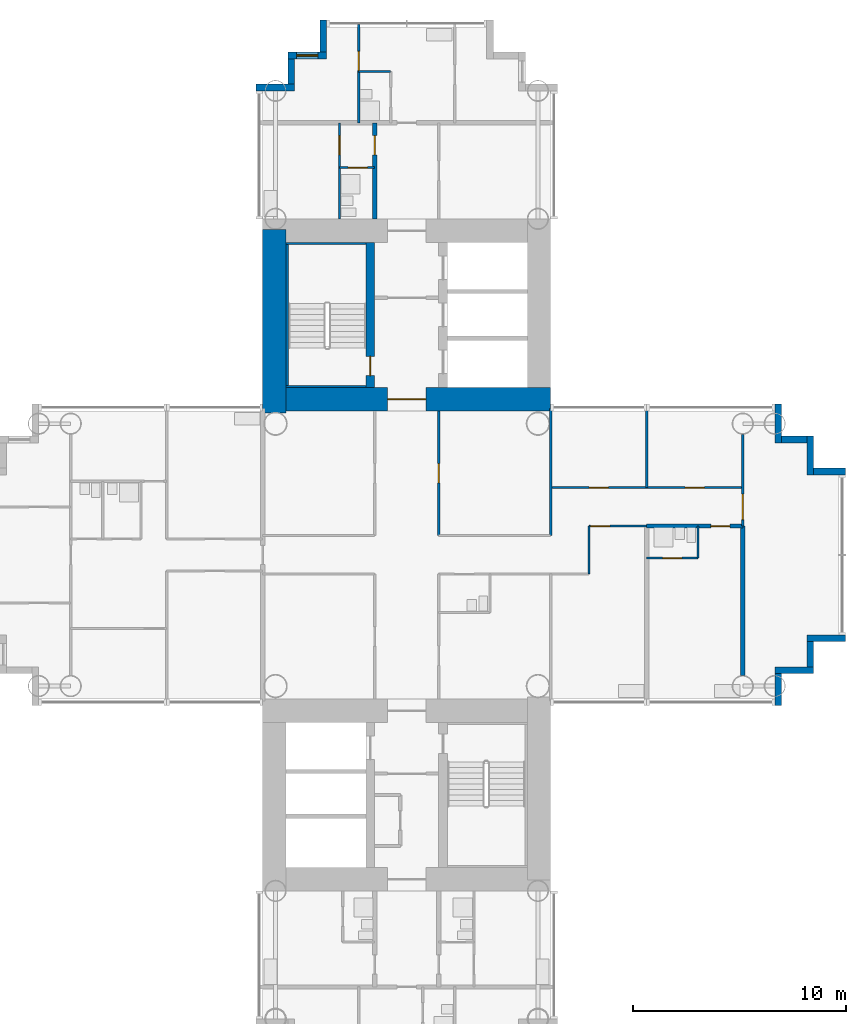
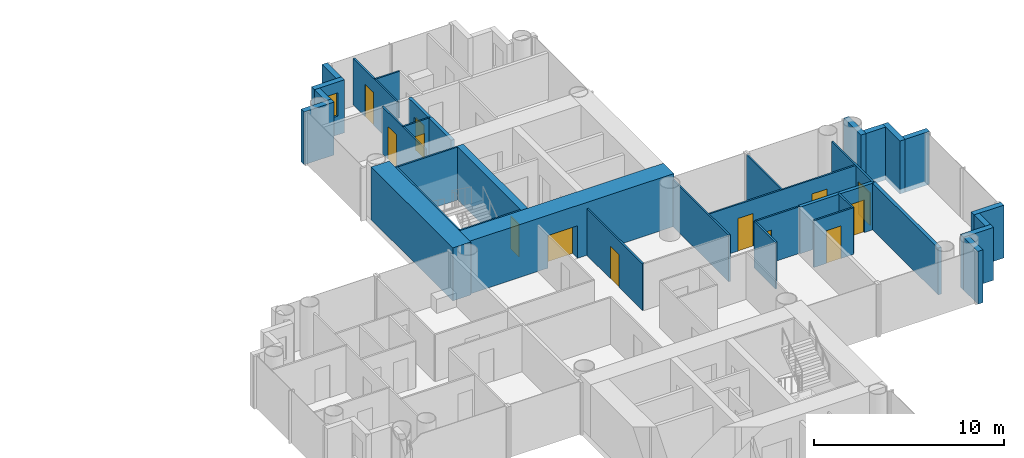
# One storey, part 15 of 22: 34 walls, 13 doors, 1 window, 14 openings.
"""IFC4 building model written with IfcOpenShell, lengths in metres."""

from ifc_helpers import new_model, si_unit, direction, frame, frame_2d, origin, place, context, subcontext, project, spatial, rectangle, extrude, material, layer, layer_set, type_object, element, fill, save


model = new_model("IFC4")

# Units and contexts
model_context = context("Model", 3, precision=1e-05, world=origin(), true_north=direction((0.0, 1.0)))
body_context = subcontext(model_context, "Body", "Model", "MODEL_VIEW")
ifc_project = project(units=[si_unit("LENGTHUNIT", "METRE"), si_unit("AREAUNIT", "SQUARE_METRE"), si_unit("VOLUMEUNIT", "CUBIC_METRE"), si_unit("PLANEANGLEUNIT", "RADIAN"), si_unit("MASSUNIT", "GRAM", prefix="KILO")], contexts=[model_context])

# Site, building, storey
site_placement = place(None, origin())
site = spatial("IfcSite", under=ifc_project, at=site_placement, CompositionType="ELEMENT")
building_placement = place(site_placement, origin())
building = spatial("IfcBuilding", under=site, at=building_placement, Name="Ipe Terrace Towers", CompositionType="ELEMENT")
storey_placement = place(building_placement, frame((0.0, 0.0, 61.89990234375)))
storey = spatial("IfcBuildingStorey", under=building, at=storey_placement, Name="L16", CompositionType="ELEMENT", Elevation=61.89990234375)

# Walls
ifc_material_1 = material(Name="Concrete C40/50 with buff precast cladding", Category="concrete")
ifc_layer_1 = layer(ifc_material_1, 0.320068359375)
ifc_layer_set_1 = layer_set([ifc_layer_1], Name="BUFF CLADDING WALL 320")
wall_type_1 = type_object("IfcWallType", Name="BUFF CLADDING WALL 320", PredefinedType="STANDARD", material=ifc_layer_set_1)
wall_1_placement = place(storey_placement, frame((53.409912109375, -7.070068359375, -0.2998046875), z_axis=(0.0, 0.0, 1.0), x_axis=(0.0, 1.0, 0.0)))
element("IfcWall", 1, at=wall_1_placement, inside=storey, type_object=wall_type_1, Name="T2-W-L16-08a wall", PredefinedType="STANDARD", context=body_context, shape_type="SweptSolid", body=[
    extrude(rectangle(XDim=1.5, YDim=0.320068359375, at=frame_2d((0.75, 0.0))), origin(), (0.0, 0.0, 1.0), 3.39990234375),
])
wall_2_placement = place(storey_placement, frame((53.25, -5.409912109375, -0.2998046875), z_axis=(0.0, 0.0, 1.0), x_axis=(1.0, 0.0, 0.0)))
element("IfcWall", 2, at=wall_2_placement, inside=storey, type_object=wall_type_1, Name="T2-W-L16-09a wall", PredefinedType="STANDARD", context=body_context, shape_type="SweptSolid", body=[
    extrude(rectangle(XDim=1.820068359375, YDim=0.320068359375, at=frame_2d((0.91015625, 0.0))), origin(), (0.0, 0.0, 1.0), 3.39990234375),
])
wall_3_placement = place(storey_placement, frame((54.909912109375, -5.25, -0.2998046875), z_axis=(0.0, 0.0, 1.0), x_axis=(0.0, 1.0, 0.0)))
element("IfcWall", 3, at=wall_3_placement, inside=storey, type_object=wall_type_1, Name="T2-W-L16-10a wall", PredefinedType="STANDARD", context=body_context, shape_type="SweptSolid", body=[
    extrude(rectangle(XDim=1.179931640625, YDim=0.320068359375, at=frame_2d((0.58984375, 0.0))), origin(), (0.0, 0.0, 1.0), 3.39990234375),
])
wall_4_placement = place(storey_placement, frame((54.75, -3.909912109375, -0.2998046875), z_axis=(0.0, 0.0, 1.0), x_axis=(1.0, 0.0, 0.0)))
element("IfcWall", 4, at=wall_4_placement, inside=storey, type_object=wall_type_1, Name="T2-W-L16-11a wall", PredefinedType="STANDARD", context=body_context, shape_type="SweptSolid", body=[
    extrude(rectangle(XDim=1.820068359375, YDim=0.320068359375, at=frame_2d((0.91015625, 0.0))), origin(), (0.0, 0.0, 1.0), 3.39990234375),
])
wall_5_placement = place(storey_placement, frame((56.570068359375, 3.909912109375, -0.2998046875), z_axis=(0.0, 0.0, 1.0), x_axis=(-1.0, 0.0, 0.0)))
element("IfcWall", 5, at=wall_5_placement, inside=storey, type_object=wall_type_1, Name="T2-W-L16-13a wall", PredefinedType="STANDARD", context=body_context, shape_type="SweptSolid", body=[
    extrude(rectangle(XDim=1.5, YDim=0.320068359375, at=frame_2d((0.75, 0.0))), origin(), (0.0, 0.0, 1.0), 3.39990234375),
])
wall_6_placement = place(storey_placement, frame((54.909912109375, 3.75, -0.2998046875), z_axis=(0.0, 0.0, 1.0), x_axis=(0.0, 1.0, 0.0)))
element("IfcWall", 6, at=wall_6_placement, inside=storey, type_object=wall_type_1, Name="T2-W-L16-14a wall", PredefinedType="STANDARD", context=body_context, shape_type="SweptSolid", body=[
    extrude(rectangle(XDim=1.820068359375, YDim=0.320068359375, at=frame_2d((0.91015625, 0.0))), origin(), (0.0, 0.0, 1.0), 3.39990234375),
])
wall_7_placement = place(storey_placement, frame((54.75, 5.409912109375, -0.2998046875), z_axis=(0.0, 0.0, 1.0), x_axis=(-1.0, 0.0, 0.0)))
element("IfcWall", 7, at=wall_7_placement, inside=storey, type_object=wall_type_1, Name="T2-W-L16-15a wall", PredefinedType="STANDARD", context=body_context, shape_type="SweptSolid", body=[
    extrude(rectangle(XDim=1.179931640625, YDim=0.320068359375, at=frame_2d((0.58984375, 0.0))), origin(), (0.0, 0.0, 1.0), 3.39990234375),
])
wall_8_placement = place(storey_placement, frame((53.409912109375, 5.25, -0.2998046875), z_axis=(0.0, 0.0, 1.0), x_axis=(0.0, 1.0, 0.0)))
element("IfcWall", 8, at=wall_8_placement, inside=storey, type_object=wall_type_1, Name="T2-W-L16-16a wall", PredefinedType="STANDARD", context=body_context, shape_type="SweptSolid", body=[
    extrude(rectangle(XDim=1.820068359375, YDim=0.320068359375, at=frame_2d((0.91015625, 0.0))), origin(), (0.0, 0.0, 1.0), 3.39990234375),
])
wall_9_placement = place(storey_placement, frame((32.090087890625, 25.070068359375, -0.2998046875), z_axis=(0.0, 0.0, 1.0), x_axis=(0.0, -1.0, 0.0)))
element("IfcWall", 9, at=wall_9_placement, inside=storey, type_object=wall_type_1, Name="T2-W-L16-26a wall", PredefinedType="STANDARD", context=body_context, shape_type="SweptSolid", body=[
    extrude(rectangle(XDim=1.5, YDim=0.320068359375, at=frame_2d((0.75, 0.0))), origin(), (0.0, 0.0, 1.0), 3.39990234375),
])

# Wall, opening, window
wall_10_placement = place(storey_placement, frame((32.25, 23.409912109375, -0.2998046875), z_axis=(0.0, 0.0, 1.0), x_axis=(-1.0, 0.0, 0.0)))
wall_10 = element("IfcWall", 10, at=wall_10_placement, inside=storey, type_object=wall_type_1, Name="T2-W-L16-27a wall", PredefinedType="STANDARD", context=body_context, shape_type="SweptSolid", body=[
    extrude(rectangle(XDim=1.820068359375, YDim=0.320068359375, at=frame_2d((0.91015625, 0.0))), origin(), (0.0, 0.0, 1.0), 3.39990234375),
])
opening_1_placement = place(wall_10_placement, frame((0.409912109375, 0.0, 1.199951171875)))
opening_1 = element("IfcOpeningElement", 11, at=opening_1_placement, cuts=wall_10, Name="Opening T2-W-05-L16-03", PredefinedType="OPENING", context=body_context, shape_type="SweptSolid", body=[
    extrude(rectangle(XDim=1.0, YDim=1.5, at=frame_2d((0.5, 0.75))), frame((0.0, 0.169921875, 0.0), z_axis=(0.0, -1.0, 0.0), x_axis=(1.0, 0.0, 0.0)), (0.0, 0.0, 1.0), 0.340087890625),
])
ifc_material_2 = material(Name="Glass, clear laminated", Category="glass")
window_type = type_object("IfcWindowType", Name="DWELLING WINDOW 1000 x 1500", PartitioningType="SINGLE_PANEL", PredefinedType="WINDOW", material=ifc_material_2)
window_placement = place(opening_1_placement, origin())
window = element("IfcWindow", 12, at=window_placement, inside=storey, type_object=window_type, Name="W-05 window", OverallHeight=1.5, OverallWidth=1.0, PartitioningType="SINGLE_PANEL", PredefinedType="WINDOW", context=body_context, shape_type="SweptSolid", body=[
    extrude(rectangle(XDim=1.0, YDim=1.5, at=frame_2d((0.5, 0.75))), frame((0.0, 0.030029296875, 0.0), z_axis=(0.0, -1.0, 0.0), x_axis=(1.0, 0.0, 0.0)), (0.0, 0.0, 1.0), 0.06005859375),
])
fill(opening_1, window)

# Walls
wall_11_placement = place(storey_placement, frame((30.590087890625, 23.25, -0.2998046875), z_axis=(0.0, 0.0, 1.0), x_axis=(0.0, -1.0, 0.0)))
element("IfcWall", 13, at=wall_11_placement, inside=storey, type_object=wall_type_1, Name="T2-W-L16-28a wall", PredefinedType="STANDARD", context=body_context, shape_type="SweptSolid", body=[
    extrude(rectangle(XDim=1.179931640625, YDim=0.320068359375, at=frame_2d((0.58984375, 0.0))), origin(), (0.0, 0.0, 1.0), 3.39990234375),
])
wall_12_placement = place(storey_placement, frame((30.75, 21.909912109375, -0.2998046875), z_axis=(0.0, 0.0, 1.0), x_axis=(-1.0, 0.0, 0.0)))
element("IfcWall", 14, at=wall_12_placement, inside=storey, type_object=wall_type_1, Name="T2-W-L16-29a wall", PredefinedType="STANDARD", context=body_context, shape_type="SweptSolid", body=[
    extrude(rectangle(XDim=1.820068359375, YDim=0.320068359375, at=frame_2d((0.91015625, 0.0))), origin(), (0.0, 0.0, 1.0), 3.39990234375),
])

# Wall, opening, door
ifc_material_3 = material(Name="Gypsum board partition", Category="plasterboard")
ifc_layer_2 = layer(ifc_material_3, 0.10009765625)
ifc_layer_set_2 = layer_set([ifc_layer_2], Name="Gypsum board partition 100 mm")
wall_type_2 = type_object("IfcWallType", Name="Gypsum board partition 100 mm", PredefinedType="PARTITIONING", material=ifc_layer_set_2)
wall_13_placement = place(storey_placement, frame((49.64990234375, -0.14990234375, 0.0), z_axis=(0.0, 0.0, 1.0), x_axis=(-1.0, 0.0, 0.0)))
wall_13 = element("IfcWall", 15, at=wall_13_placement, inside=storey, type_object=wall_type_2, Name="Gypsum board partition T2 L16 W11", PredefinedType="PARTITIONING", context=body_context, shape_type="SweptSolid", body=[
    extrude(rectangle(XDim=2.39990234375, YDim=0.10009765625, at=frame_2d((1.199951171875, 0.0))), origin(), (0.0, 0.0, 1.0), 3.0),
])
opening_2_placement = place(wall_13_placement, frame((0.75, 0.0, 0.0)))
opening_2 = element("IfcOpeningElement", 16, at=opening_2_placement, cuts=wall_13, Name="Opening T2-Z1D-20", PredefinedType="OPENING", context=body_context, shape_type="SweptSolid", body=[
    extrude(rectangle(XDim=0.89990234375, YDim=2.10009765625, at=frame_2d((0.449951171875, 1.050048828125))), frame((0.0, 0.06005859375, 0.0), z_axis=(0.0, -1.0, 0.0), x_axis=(1.0, 0.0, 0.0)), (0.0, 0.0, 1.0), 0.1201171875),
])
ifc_material_4 = material(Name="Timber door leaf", Category="wood")
door_type_1 = type_object("IfcDoorType", Name="Bathroom door 900 x 2100", OperationType="NOTDEFINED", PredefinedType="DOOR", material=ifc_material_4)
door_1_placement = place(opening_2_placement, origin())
door_1 = element("IfcDoor", 17, at=door_1_placement, inside=storey, type_object=door_type_1, Name="Bathroom door T2-Z1D-20", OperationType="SINGLE_SWING_RIGHT", OverallHeight=2.10009765625, OverallWidth=0.89990234375, PredefinedType="DOOR", context=body_context, shape_type="SweptSolid", body=[
    extrude(rectangle(XDim=0.89990234375, YDim=2.10009765625, at=frame_2d((0.449951171875, 1.050048828125))), frame((0.0, 0.02490234375, 0.0), z_axis=(0.0, -1.0, 0.0), x_axis=(1.0, 0.0, 0.0)), (0.0, 0.0, 1.0), 0.050048828125),
])
fill(opening_2, door_1)

wall_14_placement = place(storey_placement, frame((47.25, 1.35009765625, 0.0), z_axis=(0.0, 0.0, 1.0), x_axis=(-1.0, 0.0, 0.0)))
wall_14 = element("IfcWall", 18, at=wall_14_placement, inside=storey, type_object=wall_type_2, Name="Gypsum board partition T2 L16 W16", PredefinedType="PARTITIONING", context=body_context, shape_type="SweptSolid", body=[
    extrude(rectangle(XDim=2.699951171875, YDim=0.10009765625, at=frame_2d((1.35009765625, 0.0))), origin(), (0.0, 0.0, 1.0), 3.0),
])
opening_3_placement = place(wall_14_placement, frame((1.72998046875, 0.0, 0.0)))
opening_3 = element("IfcOpeningElement", 19, at=opening_3_placement, cuts=wall_14, Name="Opening T2-Z1D-18", PredefinedType="OPENING", context=body_context, shape_type="SweptSolid", body=[
    extrude(rectangle(XDim=0.89990234375, YDim=2.10009765625, at=frame_2d((0.449951171875, 1.050048828125))), frame((0.0, 0.06005859375, 0.0), z_axis=(0.0, -1.0, 0.0), x_axis=(1.0, 0.0, 0.0)), (0.0, 0.0, 1.0), 0.1201171875),
])
ifc_material_5 = material(Name="Timber door leaf", Category="wood")
door_type_2 = type_object("IfcDoorType", Name="Lounge door 900 x 2100", OperationType="NOTDEFINED", PredefinedType="DOOR", material=ifc_material_5)
door_2_placement = place(opening_3_placement, origin())
door_2 = element("IfcDoor", 20, at=door_2_placement, inside=storey, type_object=door_type_2, Name="Lounge door T2-Z1D-18", OperationType="SINGLE_SWING_LEFT", OverallHeight=2.10009765625, OverallWidth=0.89990234375, PredefinedType="DOOR", context=body_context, shape_type="SweptSolid", body=[
    extrude(rectangle(XDim=0.89990234375, YDim=2.10009765625, at=frame_2d((0.449951171875, 1.050048828125))), frame((0.0, 0.02490234375, 0.0), z_axis=(0.0, -1.0, 0.0), x_axis=(1.0, 0.0, 0.0)), (0.0, 0.0, 1.0), 0.050048828125),
])
fill(opening_3, door_2)

# Wall, openings, doors
wall_15_placement = place(storey_placement, frame((51.75, 3.14990234375, 0.0), z_axis=(0.0, 0.0, 1.0), x_axis=(-1.0, 0.0, 0.0)))
wall_15 = element("IfcWall", 21, at=wall_15_placement, inside=storey, type_object=wall_type_2, Name="Gypsum board partition T2 L16 W19", PredefinedType="PARTITIONING", context=body_context, shape_type="SweptSolid", body=[
    extrude(rectangle(XDim=9.0, YDim=0.10009765625, at=frame_2d((4.5, 0.0))), origin(), (0.0, 0.0, 1.0), 3.0),
])
opening_4_placement = place(wall_15_placement, frame((6.300048828125, 0.0, 0.0)))
opening_4 = element("IfcOpeningElement", 22, at=opening_4_placement, cuts=wall_15, Name="Opening T2-Z1D-16", PredefinedType="OPENING", context=body_context, shape_type="SweptSolid", body=[
    extrude(rectangle(XDim=0.89990234375, YDim=2.10009765625, at=frame_2d((0.449951171875, 1.050048828125))), frame((0.0, 0.06005859375, 0.0), z_axis=(0.0, -1.0, 0.0), x_axis=(1.0, 0.0, 0.0)), (0.0, 0.0, 1.0), 0.1201171875),
])
opening_5_placement = place(wall_15_placement, frame((1.800048828125, 0.0, 0.0)))
opening_5 = element("IfcOpeningElement", 23, at=opening_5_placement, cuts=wall_15, Name="Opening T2-Z1D-17", PredefinedType="OPENING", context=body_context, shape_type="SweptSolid", body=[
    extrude(rectangle(XDim=0.89990234375, YDim=2.10009765625, at=frame_2d((0.449951171875, 1.050048828125))), frame((0.0, 0.06005859375, 0.0), z_axis=(0.0, -1.0, 0.0), x_axis=(1.0, 0.0, 0.0)), (0.0, 0.0, 1.0), 0.1201171875),
])
door_3_placement = place(opening_4_placement, origin())
door_3 = element("IfcDoor", 24, at=door_3_placement, inside=storey, type_object=door_type_2, Name="Lounge door T2-Z1D-16", OperationType="SINGLE_SWING_RIGHT", OverallHeight=2.10009765625, OverallWidth=0.89990234375, PredefinedType="DOOR", context=body_context, shape_type="SweptSolid", body=[
    extrude(rectangle(XDim=0.89990234375, YDim=2.10009765625, at=frame_2d((0.449951171875, 1.050048828125))), frame((0.0, 0.02490234375, 0.0), z_axis=(0.0, -1.0, 0.0), x_axis=(1.0, 0.0, 0.0)), (0.0, 0.0, 1.0), 0.050048828125),
])
fill(opening_4, door_3)
door_4_placement = place(opening_5_placement, origin())
door_4 = element("IfcDoor", 25, at=door_4_placement, inside=storey, type_object=door_type_2, Name="Lounge door T2-Z1D-17", OperationType="SINGLE_SWING_LEFT", OverallHeight=2.10009765625, OverallWidth=0.89990234375, PredefinedType="DOOR", context=body_context, shape_type="SweptSolid", body=[
    extrude(rectangle(XDim=0.89990234375, YDim=2.10009765625, at=frame_2d((0.449951171875, 1.050048828125))), frame((0.0, 0.02490234375, 0.0), z_axis=(0.0, -1.0, 0.0), x_axis=(1.0, 0.0, 0.0)), (0.0, 0.0, 1.0), 0.050048828125),
])
fill(opening_5, door_4)

# Wall, opening, door
wall_16_placement = place(storey_placement, frame((34.5, 18.14990234375, 0.0), z_axis=(0.0, 0.0, 1.0), x_axis=(-1.0, 0.0, 0.0)))
wall_16 = element("IfcWall", 26, at=wall_16_placement, inside=storey, type_object=wall_type_2, Name="Gypsum board partition T2 L16 W21", PredefinedType="PARTITIONING", context=body_context, shape_type="SweptSolid", body=[
    extrude(rectangle(XDim=1.64990234375, YDim=0.10009765625, at=frame_2d((0.824951171875, 0.0))), origin(), (0.0, 0.0, 1.0), 3.0),
])
opening_6_placement = place(wall_16_placement, frame((0.35009765625, 0.0, 0.0)))
opening_6 = element("IfcOpeningElement", 27, at=opening_6_placement, cuts=wall_16, Name="Opening T2-Z1D-24", PredefinedType="OPENING", context=body_context, shape_type="SweptSolid", body=[
    extrude(rectangle(XDim=0.89990234375, YDim=2.10009765625, at=frame_2d((0.449951171875, 1.050048828125))), frame((0.0, 0.06005859375, 0.0), z_axis=(0.0, -1.0, 0.0), x_axis=(1.0, 0.0, 0.0)), (0.0, 0.0, 1.0), 0.1201171875),
])
door_5_placement = place(opening_6_placement, origin())
door_5 = element("IfcDoor", 28, at=door_5_placement, inside=storey, type_object=door_type_1, Name="Bathroom door T2-Z1D-24", OperationType="SINGLE_SWING_RIGHT", OverallHeight=2.10009765625, OverallWidth=0.89990234375, PredefinedType="DOOR", context=body_context, shape_type="SweptSolid", body=[
    extrude(rectangle(XDim=0.89990234375, YDim=2.10009765625, at=frame_2d((0.449951171875, 1.050048828125))), frame((0.0, 0.02490234375, 0.0), z_axis=(0.0, -1.0, 0.0), x_axis=(1.0, 0.0, 0.0)), (0.0, 0.0, 1.0), 0.050048828125),
])
fill(opening_6, door_5)

# Wall
wall_17_placement = place(storey_placement, frame((35.25, 22.64990234375, 0.0), z_axis=(0.0, 0.0, 1.0), x_axis=(-1.0, 0.0, 0.0)))
element("IfcWall", 29, at=wall_17_placement, inside=storey, type_object=wall_type_2, Name="Gypsum board partition T2 L16 W23", PredefinedType="PARTITIONING", context=body_context, shape_type="SweptSolid", body=[
    extrude(rectangle(XDim=1.5, YDim=0.10009765625, at=frame_2d((0.75, 0.0))), origin(), (0.0, 0.0, 1.0), 3.0),
])

# Wall, opening, door
wall_18_placement = place(storey_placement, frame((51.75, 1.35009765625, 0.0), z_axis=(0.0, 0.0, 1.0), x_axis=(0.0, 1.0, 0.0)))
wall_18 = element("IfcWall", 30, at=wall_18_placement, inside=storey, type_object=wall_type_2, Name="Gypsum board partition T2 L16 W24", PredefinedType="PARTITIONING", context=body_context, shape_type="SweptSolid", body=[
    extrude(rectangle(XDim=4.2998046875, YDim=0.10009765625, at=frame_2d((2.14990234375, 0.0))), origin(), (0.0, 0.0, 1.0), 3.0),
])
opening_7_placement = place(wall_18_placement, frame((0.300048828125, 0.0, 0.0)))
opening_7 = element("IfcOpeningElement", 31, at=opening_7_placement, cuts=wall_18, Name="Opening T2-Z1D-21", PredefinedType="OPENING", context=body_context, shape_type="SweptSolid", body=[
    extrude(rectangle(XDim=1.199951171875, YDim=2.10009765625, at=frame_2d((0.60009765625, 1.050048828125))), frame((0.0, 0.06005859375, 0.0), z_axis=(0.0, -1.0, 0.0), x_axis=(1.0, 0.0, 0.0)), (0.0, 0.0, 1.0), 0.1201171875),
])
ifc_material_6 = material(Name="Timber door leaf", Category="wood")
door_type_3 = type_object("IfcDoorType", Name="Lounge door 1200 x 2100", OperationType="NOTDEFINED", PredefinedType="DOOR", material=ifc_material_6)
door_6_placement = place(opening_7_placement, origin())
door_6 = element("IfcDoor", 32, at=door_6_placement, inside=storey, type_object=door_type_3, Name="Lounge door T2-Z1D-21", OperationType="SINGLE_SWING_LEFT", OverallHeight=2.10009765625, OverallWidth=1.199951171875, PredefinedType="DOOR", context=body_context, shape_type="SweptSolid", body=[
    extrude(rectangle(XDim=1.199951171875, YDim=2.10009765625, at=frame_2d((0.60009765625, 1.050048828125))), frame((0.0, 0.02490234375, 0.0), z_axis=(0.0, -1.0, 0.0), x_axis=(1.0, 0.0, 0.0)), (0.0, 0.0, 1.0), 0.050048828125),
])
fill(opening_7, door_6)

# Walls
wall_19_placement = place(storey_placement, frame((49.64990234375, -0.14990234375, 0.0), z_axis=(0.0, 0.0, 1.0), x_axis=(0.0, 1.0, 0.0)))
element("IfcWall", 33, at=wall_19_placement, inside=storey, type_object=wall_type_2, Name="Gypsum board partition T2 L16 W26", PredefinedType="PARTITIONING", context=body_context, shape_type="SweptSolid", body=[
    extrude(rectangle(XDim=1.5, YDim=0.10009765625, at=frame_2d((0.75, 0.0))), origin(), (0.0, 0.0, 1.0), 3.0),
])
wall_20_placement = place(storey_placement, frame((47.25, 3.14990234375, 0.0), z_axis=(0.0, 0.0, 1.0), x_axis=(0.0, 1.0, 0.0)))
element("IfcWall", 34, at=wall_20_placement, inside=storey, type_object=wall_type_2, Name="Gypsum board partition T2 L16 W27", PredefinedType="PARTITIONING", context=body_context, shape_type="SweptSolid", body=[
    extrude(rectangle(XDim=3.7001953125, YDim=0.10009765625, at=frame_2d((1.85009765625, 0.0))), origin(), (0.0, 0.0, 1.0), 3.0),
])
wall_21_placement = place(storey_placement, frame((44.550048828125, -0.89990234375, 0.0), z_axis=(0.0, 0.0, 1.0), x_axis=(0.0, 1.0, 0.0)))
element("IfcWall", 35, at=wall_21_placement, inside=storey, type_object=wall_type_2, Name="Gypsum board partition T2 L16 W29", PredefinedType="PARTITIONING", context=body_context, shape_type="SweptSolid", body=[
    extrude(rectangle(XDim=2.25, YDim=0.10009765625, at=frame_2d((1.125, 0.0))), origin(), (0.0, 0.0, 1.0), 3.0),
])
wall_22_placement = place(storey_placement, frame((42.75, 0.89990234375, 0.0), z_axis=(0.0, 0.0, 1.0), x_axis=(0.0, 1.0, 0.0)))
element("IfcWall", 36, at=wall_22_placement, inside=storey, type_object=wall_type_2, Name="Gypsum board partition T2 L16 W31", PredefinedType="PARTITIONING", context=body_context, shape_type="SweptSolid", body=[
    extrude(rectangle(XDim=5.9501953125, YDim=0.10009765625, at=frame_2d((2.97509765625, 0.0))), origin(), (0.0, 0.0, 1.0), 3.0),
])

# Wall, opening, door
wall_23_placement = place(storey_placement, frame((37.5, 0.89990234375, 0.0), z_axis=(0.0, 0.0, 1.0), x_axis=(0.0, 1.0, 0.0)))
wall_23 = element("IfcWall", 37, at=wall_23_placement, inside=storey, type_object=wall_type_2, Name="Gypsum board partition T2 L16 W37", PredefinedType="PARTITIONING", context=body_context, shape_type="SweptSolid", body=[
    extrude(rectangle(XDim=5.85009765625, YDim=0.10009765625, at=frame_2d((2.925048828125, 0.0))), origin(), (0.0, 0.0, 1.0), 3.0),
])
opening_8_placement = place(wall_23_placement, frame((2.47509765625, 0.0, 0.0)))
opening_8 = element("IfcOpeningElement", 38, at=opening_8_placement, cuts=wall_23, Name="Opening T2-Z1D-05", PredefinedType="OPENING", context=body_context, shape_type="SweptSolid", body=[
    extrude(rectangle(XDim=0.89990234375, YDim=2.10009765625, at=frame_2d((0.449951171875, 1.050048828125))), frame((0.0, 0.06005859375, 0.0), z_axis=(0.0, -1.0, 0.0), x_axis=(1.0, 0.0, 0.0)), (0.0, 0.0, 1.0), 0.1201171875),
])
door_7_placement = place(opening_8_placement, origin())
door_7 = element("IfcDoor", 39, at=door_7_placement, inside=storey, type_object=door_type_2, Name="Lounge door T2-Z1D-05", OperationType="SINGLE_SWING_RIGHT", OverallHeight=2.10009765625, OverallWidth=0.89990234375, PredefinedType="DOOR", context=body_context, shape_type="SweptSolid", body=[
    extrude(rectangle(XDim=0.89990234375, YDim=2.10009765625, at=frame_2d((0.449951171875, 1.050048828125))), frame((0.0, 0.02490234375, 0.0), z_axis=(0.0, -1.0, 0.0), x_axis=(1.0, 0.0, 0.0)), (0.0, 0.0, 1.0), 0.050048828125),
])
fill(opening_8, door_7)

wall_24_placement = place(storey_placement, frame((33.75, 20.25, 0.0), z_axis=(0.0, 0.0, 1.0), x_axis=(0.0, 1.0, 0.0)))
wall_24 = element("IfcWall", 40, at=wall_24_placement, inside=storey, type_object=wall_type_2, Name="Gypsum board partition T2 L16 W47", PredefinedType="PARTITIONING", context=body_context, shape_type="SweptSolid", body=[
    extrude(rectangle(XDim=4.60009765625, YDim=0.10009765625, at=frame_2d((2.300048828125, 0.0))), origin(), (0.0, 0.0, 1.0), 3.0),
])
opening_9_placement = place(wall_24_placement, frame((2.449951171875, 0.0, 0.0)))
opening_9 = element("IfcOpeningElement", 41, at=opening_9_placement, cuts=wall_24, Name="Opening T2-Z1D-28", PredefinedType="OPENING", context=body_context, shape_type="SweptSolid", body=[
    extrude(rectangle(XDim=0.89990234375, YDim=2.10009765625, at=frame_2d((0.449951171875, 1.050048828125))), frame((0.0, 0.06005859375, 0.0), z_axis=(0.0, -1.0, 0.0), x_axis=(1.0, 0.0, 0.0)), (0.0, 0.0, 1.0), 0.1201171875),
])
ifc_material_7 = material(Name="Timber door leaf", Category="wood")
door_type_4 = type_object("IfcDoorType", Name="Bedroom door 900 x 2100", OperationType="NOTDEFINED", PredefinedType="DOOR", material=ifc_material_7)
door_8_placement = place(opening_9_placement, origin())
door_8 = element("IfcDoor", 42, at=door_8_placement, inside=storey, type_object=door_type_4, Name="Bedroom door T2-Z1D-28", OperationType="SINGLE_SWING_LEFT", OverallHeight=2.10009765625, OverallWidth=0.89990234375, PredefinedType="DOOR", context=body_context, shape_type="SweptSolid", body=[
    extrude(rectangle(XDim=0.89990234375, YDim=2.10009765625, at=frame_2d((0.449951171875, 1.050048828125))), frame((0.0, 0.02490234375, 0.0), z_axis=(0.0, -1.0, 0.0), x_axis=(1.0, 0.0, 0.0)), (0.0, 0.0, 1.0), 0.050048828125),
])
fill(opening_9, door_8)

wall_25_placement = place(storey_placement, frame((32.85009765625, 15.75, 0.0), z_axis=(0.0, 0.0, 1.0), x_axis=(0.0, 1.0, 0.0)))
wall_25 = element("IfcWall", 43, at=wall_25_placement, inside=storey, type_object=wall_type_2, Name="Gypsum board partition T2 L16 W49", PredefinedType="PARTITIONING", context=body_context, shape_type="SweptSolid", body=[
    extrude(rectangle(XDim=4.5, YDim=0.10009765625, at=frame_2d((2.25, 0.0))), origin(), (0.0, 0.0, 1.0), 3.0),
])
opening_10_placement = place(wall_25_placement, frame((3.0, 0.0, 0.0)))
opening_10 = element("IfcOpeningElement", 44, at=opening_10_placement, cuts=wall_25, Name="Opening T2-Z1D-23", PredefinedType="OPENING", context=body_context, shape_type="SweptSolid", body=[
    extrude(rectangle(XDim=0.89990234375, YDim=2.10009765625, at=frame_2d((0.449951171875, 1.050048828125))), frame((0.0, 0.06005859375, 0.0), z_axis=(0.0, -1.0, 0.0), x_axis=(1.0, 0.0, 0.0)), (0.0, 0.0, 1.0), 0.1201171875),
])
door_9_placement = place(opening_10_placement, origin())
door_9 = element("IfcDoor", 45, at=door_9_placement, inside=storey, type_object=door_type_4, Name="Bedroom door T2-Z1D-23", OperationType="SINGLE_SWING_LEFT", OverallHeight=2.10009765625, OverallWidth=0.89990234375, PredefinedType="DOOR", context=body_context, shape_type="SweptSolid", body=[
    extrude(rectangle(XDim=0.89990234375, YDim=2.10009765625, at=frame_2d((0.449951171875, 1.050048828125))), frame((0.0, 0.02490234375, 0.0), z_axis=(0.0, -1.0, 0.0), x_axis=(1.0, 0.0, 0.0)), (0.0, 0.0, 1.0), 0.050048828125),
])
fill(opening_10, door_9)

ifc_material_8 = material(Name="Gypsum board party wall", Category="plasterboard")
ifc_layer_3 = layer(ifc_material_8, 0.199951171875)
ifc_layer_set_3 = layer_set([ifc_layer_3], Name="Gypsum board party wall 200 mm")
wall_type_3 = type_object("IfcWallType", Name="Gypsum board party wall 200 mm", PredefinedType="SOLIDWALL", material=ifc_layer_set_3)
wall_26_placement = place(storey_placement, frame((51.75, 1.35009765625, 0.0), z_axis=(0.0, 0.0, 1.0), x_axis=(-1.0, 0.0, 0.0)))
wall_26 = element("IfcWall", 46, at=wall_26_placement, inside=storey, type_object=wall_type_3, Name="Gypsum board party wall T2 L16 W17", PredefinedType="SOLIDWALL", context=body_context, shape_type="SweptSolid", body=[
    extrude(rectangle(XDim=4.5, YDim=0.199951171875, at=frame_2d((2.25, 0.0))), origin(), (0.0, 0.0, 1.0), 3.0),
])
opening_11_placement = place(wall_26_placement, frame((0.60009765625, 0.0, 0.0)))
opening_11 = element("IfcOpeningElement", 47, at=opening_11_placement, cuts=wall_26, Name="Opening T2-Z1D-19", PredefinedType="OPENING", context=body_context, shape_type="SweptSolid", body=[
    extrude(rectangle(XDim=0.89990234375, YDim=2.10009765625, at=frame_2d((0.449951171875, 1.050048828125))), frame((0.0, 0.10986328125, 0.0), z_axis=(0.0, -1.0, 0.0), x_axis=(1.0, 0.0, 0.0)), (0.0, 0.0, 1.0), 0.219970703125),
])
ifc_material_9 = material(Name="Fire-rated timber door leaf", Category="wood")
door_type_5 = type_object("IfcDoorType", Name="Flat entrance door 900 x 2100 FD30S", OperationType="NOTDEFINED", PredefinedType="DOOR", material=ifc_material_9)
door_10_placement = place(opening_11_placement, origin())
door_10 = element("IfcDoor", 48, at=door_10_placement, inside=storey, type_object=door_type_5, Name="Flat entrance door T2-Z1D-19", OperationType="SINGLE_SWING_RIGHT", OverallHeight=2.10009765625, OverallWidth=0.89990234375, PredefinedType="DOOR", context=body_context, shape_type="SweptSolid", body=[
    extrude(rectangle(XDim=0.89990234375, YDim=2.10009765625, at=frame_2d((0.449951171875, 1.050048828125))), frame((0.0, 0.02490234375, 0.0), z_axis=(0.0, -1.0, 0.0), x_axis=(1.0, 0.0, 0.0)), (0.0, 0.0, 1.0), 0.050048828125),
])
fill(opening_11, door_10)

# Wall
wall_27_placement = place(storey_placement, frame((51.75, -5.64990234375, 0.0), z_axis=(0.0, 0.0, 1.0), x_axis=(0.0, 1.0, 0.0)))
element("IfcWall", 49, at=wall_27_placement, inside=storey, type_object=wall_type_3, Name="Gypsum board party wall T2 L16 W25", PredefinedType="SOLIDWALL", context=body_context, shape_type="SweptSolid", body=[
    extrude(rectangle(XDim=7.0, YDim=0.199951171875, at=frame_2d((3.5, 0.0))), origin(), (0.0, 0.0, 1.0), 3.0),
])

# Wall, opening, door
wall_28_placement = place(storey_placement, frame((34.5, 15.75, 0.0), z_axis=(0.0, 0.0, 1.0), x_axis=(0.0, 1.0, 0.0)))
wall_28 = element("IfcWall", 50, at=wall_28_placement, inside=storey, type_object=wall_type_3, Name="Gypsum board party wall T2 L16 W45", PredefinedType="SOLIDWALL", context=body_context, shape_type="SweptSolid", body=[
    extrude(rectangle(XDim=4.5, YDim=0.199951171875, at=frame_2d((2.25, 0.0))), origin(), (0.0, 0.0, 1.0), 3.0),
])
opening_12_placement = place(wall_28_placement, frame((3.0, 0.0, 0.0)))
opening_12 = element("IfcOpeningElement", 51, at=opening_12_placement, cuts=wall_28, Name="Opening T2-Z1D-22", PredefinedType="OPENING", context=body_context, shape_type="SweptSolid", body=[
    extrude(rectangle(XDim=0.89990234375, YDim=2.10009765625, at=frame_2d((0.449951171875, 1.050048828125))), frame((0.0, 0.10986328125, 0.0), z_axis=(0.0, -1.0, 0.0), x_axis=(1.0, 0.0, 0.0)), (0.0, 0.0, 1.0), 0.219970703125),
])
door_11_placement = place(opening_12_placement, origin())
door_11 = element("IfcDoor", 52, at=door_11_placement, inside=storey, type_object=door_type_5, Name="Flat entrance door T2-Z1D-22", OperationType="SINGLE_SWING_LEFT", OverallHeight=2.10009765625, OverallWidth=0.89990234375, PredefinedType="DOOR", context=body_context, shape_type="SweptSolid", body=[
    extrude(rectangle(XDim=0.89990234375, YDim=2.10009765625, at=frame_2d((0.449951171875, 1.050048828125))), frame((0.0, 0.02490234375, 0.0), z_axis=(0.0, -1.0, 0.0), x_axis=(1.0, 0.0, 0.0)), (0.0, 0.0, 1.0), 0.050048828125),
])
fill(opening_12, door_11)

# Walls
ifc_material_10 = material(Name="Concrete C60/75", Category="concrete")
ifc_layer_4 = layer(ifc_material_10, 0.10009765625)
ifc_layer_set_4 = layer_set([ifc_layer_4], Name="RW100 CORE INFILL WALL 100 C60-75")
wall_type_4 = type_object("IfcWallType", Name="RW100 CORE INFILL WALL 100 C60-75", PredefinedType="SHEAR", material=ifc_layer_set_4)
wall_29_placement = place(storey_placement, frame((34.10009765625, 14.60009765625, 0.0), z_axis=(0.0, 0.0, 1.0), x_axis=(-1.0, 0.0, 0.0)))
element("IfcWall", 53, at=wall_29_placement, inside=storey, type_object=wall_type_4, Name="Core infill wall T2-C1-far", PredefinedType="SHEAR", context=body_context, shape_type="SweptSolid", body=[
    extrude(rectangle(XDim=3.75, YDim=0.10009765625, at=frame_2d((1.875, 0.0))), origin(), (0.0, 0.0, 1.0), 3.400146484375),
])
wall_30_placement = place(storey_placement, frame((30.39990234375, 7.949951171875, 0.0), z_axis=(0.0, 0.0, 1.0), x_axis=(0.0, 1.0, 0.0)))
element("IfcWall", 54, at=wall_30_placement, inside=storey, type_object=wall_type_4, Name="Core infill wall T2-C1-back", PredefinedType="SHEAR", context=body_context, shape_type="SweptSolid", body=[
    extrude(rectangle(XDim=6.60009765625, YDim=0.10009765625, at=frame_2d((3.300048828125, 0.0))), origin(), (0.0, 0.0, 1.0), 3.400146484375),
])
wall_31_placement = place(storey_placement, frame((34.10009765625, 7.89990234375, 0.0), z_axis=(0.0, 0.0, 1.0), x_axis=(-1.0, 0.0, 0.0)))
element("IfcWall", 55, at=wall_31_placement, inside=storey, type_object=wall_type_4, Name="Core infill wall T2-C1-near", PredefinedType="SHEAR", context=body_context, shape_type="SweptSolid", body=[
    extrude(rectangle(XDim=3.75, YDim=0.10009765625, at=frame_2d((1.875, 0.0))), origin(), (0.0, 0.0, 1.0), 3.400146484375),
])

# Wall, opening, door
ifc_material_11 = material(Name="Concrete C60/75", Category="concrete")
ifc_layer_5 = layer(ifc_material_11, 1.10009765625)
ifc_layer_set_5 = layer_set([ifc_layer_5], Name="RW1100 CORE WALL 1100 C60-75")
wall_type_5 = type_object("IfcWallType", Name="RW1100 CORE WALL 1100 C60-75", PredefinedType="SHEAR", material=ifc_layer_set_5)
wall_32_placement = place(storey_placement, frame((30.35009765625, 7.300048828125, 0.0), z_axis=(0.0, 0.0, 1.0), x_axis=(1.0, 0.0, 0.0)))
wall_32 = element("IfcWall", 56, at=wall_32_placement, inside=storey, type_object=wall_type_5, Name="Core wall T2-C1-Z1-W01", PredefinedType="SHEAR", context=body_context, shape_type="SweptSolid", body=[
    extrude(rectangle(XDim=12.39990234375, YDim=1.10009765625, at=frame_2d((6.199951171875, 0.0))), origin(), (0.0, 0.0, 1.0), 3.400146484375),
])
opening_13_placement = place(wall_32_placement, frame((4.75, 0.0, 0.0)))
opening_13 = element("IfcOpeningElement", 57, at=opening_13_placement, cuts=wall_32, Name="Opening T2C1-ND", PredefinedType="OPENING", context=body_context, shape_type="SweptSolid", body=[
    extrude(rectangle(XDim=1.800048828125, YDim=2.10009765625, at=frame_2d((0.89990234375, 1.050048828125))), frame((0.0, 0.56005859375, 0.0), z_axis=(0.0, -1.0, 0.0), x_axis=(1.0, 0.0, 0.0)), (0.0, 0.0, 1.0), 1.1201171875),
])
ifc_material_12 = material(Name="Fire-rated timber door leaf", Category="wood")
door_type_6 = type_object("IfcDoorType", Name="Fire door 1800 x 2100 FD30S", OperationType="NOTDEFINED", PredefinedType="DOOR", material=ifc_material_12)
door_12_placement = place(opening_13_placement, origin())
door_12 = element("IfcDoor", 58, at=door_12_placement, inside=storey, type_object=door_type_6, Name="Fire door T2C1-ND", OperationType="SINGLE_SWING_LEFT", OverallHeight=2.10009765625, OverallWidth=1.800048828125, PredefinedType="DOOR", context=body_context, shape_type="SweptSolid", body=[
    extrude(rectangle(XDim=1.800048828125, YDim=2.10009765625, at=frame_2d((0.89990234375, 1.050048828125))), frame((0.0, 0.02490234375, 0.0), z_axis=(0.0, -1.0, 0.0), x_axis=(1.0, 0.0, 0.0)), (0.0, 0.0, 1.0), 0.050048828125),
])
fill(opening_13, door_12)

# Wall
wall_33_placement = place(storey_placement, frame((29.800048828125, 15.248046875, 0.0), z_axis=(0.0, 0.0, 1.0), x_axis=(0.0, -1.0, 0.0)))
element("IfcWall", 59, at=wall_33_placement, inside=storey, type_object=wall_type_5, Name="Core wall T2-C1-Z1-W04", PredefinedType="SHEAR", context=body_context, shape_type="SweptSolid", body=[
    extrude(rectangle(XDim=8.595947265625, YDim=1.10009765625, at=frame_2d((4.2978515625, 0.0))), origin(), (0.0, 0.0, 1.0), 3.400146484375),
])

# Wall, opening, door
ifc_material_13 = material(Name="Concrete C60/75", Category="concrete")
ifc_layer_6 = layer(ifc_material_13, 0.39990234375)
ifc_layer_set_6 = layer_set([ifc_layer_6], Name="RW400 CORE SPINE WALL 400 C60-75")
wall_type_6 = type_object("IfcWallType", Name="RW400 CORE SPINE WALL 400 C60-75", PredefinedType="SHEAR", material=ifc_layer_set_6)
wall_34_placement = place(storey_placement, frame((34.300048828125, 7.85009765625, 0.0), z_axis=(0.0, 0.0, 1.0), x_axis=(0.0, 1.0, 0.0)))
wall_34 = element("IfcWall", 60, at=wall_34_placement, inside=storey, type_object=wall_type_6, Name="Core spine wall T2-C1-Z1-SW1", PredefinedType="SHEAR", context=body_context, shape_type="SweptSolid", body=[
    extrude(rectangle(XDim=6.7998046875, YDim=0.39990234375, at=frame_2d((3.39990234375, 0.0))), origin(), (0.0, 0.0, 1.0), 3.400146484375),
])
opening_14_placement = place(wall_34_placement, frame((0.550048828125, 0.0, 0.0)))
opening_14 = element("IfcOpeningElement", 61, at=opening_14_placement, cuts=wall_34, Name="Opening T2C1-SD", PredefinedType="OPENING", context=body_context, shape_type="SweptSolid", body=[
    extrude(rectangle(XDim=0.89990234375, YDim=2.10009765625, at=frame_2d((0.449951171875, 1.050048828125))), frame((0.0, 0.2099609375, 0.0), z_axis=(0.0, -1.0, 0.0), x_axis=(1.0, 0.0, 0.0)), (0.0, 0.0, 1.0), 0.419921875),
])
ifc_material_14 = material(Name="Fire-rated timber door leaf", Category="wood")
door_type_7 = type_object("IfcDoorType", Name="Stair door 900 x 2100 FD60", OperationType="NOTDEFINED", PredefinedType="DOOR", material=ifc_material_14)
door_13_placement = place(opening_14_placement, origin())
door_13 = element("IfcDoor", 62, at=door_13_placement, inside=storey, type_object=door_type_7, Name="Stair door T2C1-SD", OperationType="SINGLE_SWING_LEFT", OverallHeight=2.10009765625, OverallWidth=0.89990234375, PredefinedType="DOOR", context=body_context, shape_type="SweptSolid", body=[
    extrude(rectangle(XDim=0.89990234375, YDim=2.10009765625, at=frame_2d((0.449951171875, 1.050048828125))), frame((0.0, 0.02490234375, 0.0), z_axis=(0.0, -1.0, 0.0), x_axis=(1.0, 0.0, 0.0)), (0.0, 0.0, 1.0), 0.050048828125),
])
fill(opening_14, door_13)

save(model, "model.ifc")
